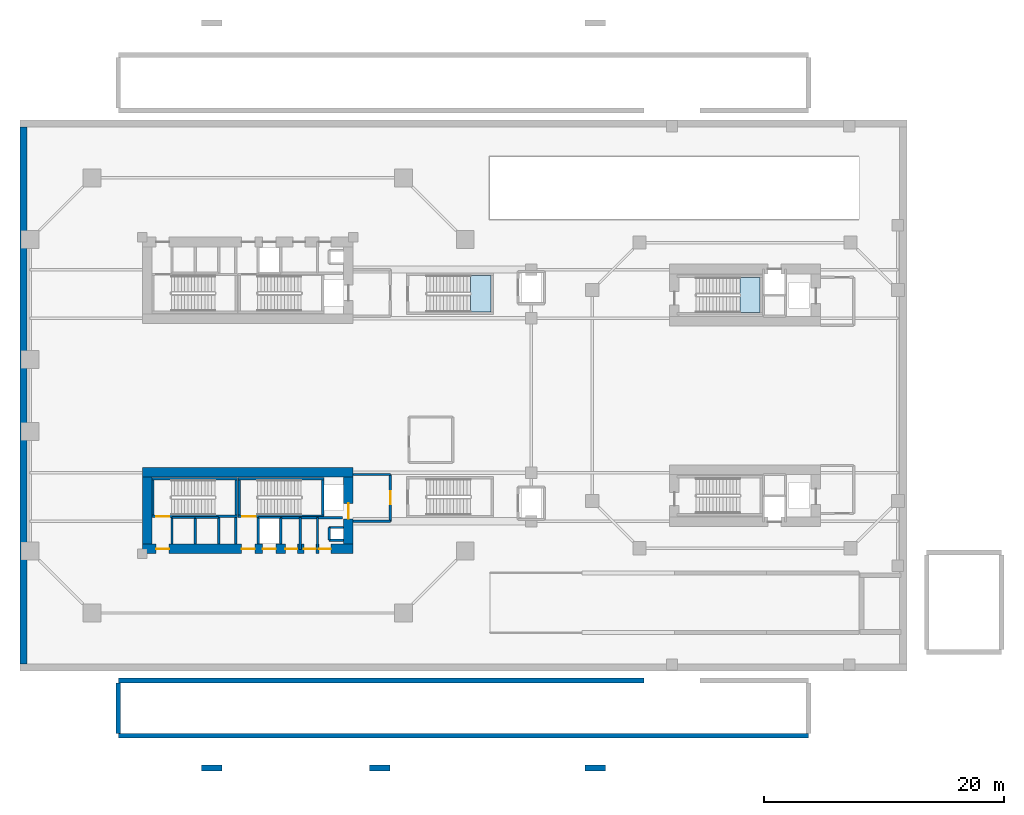
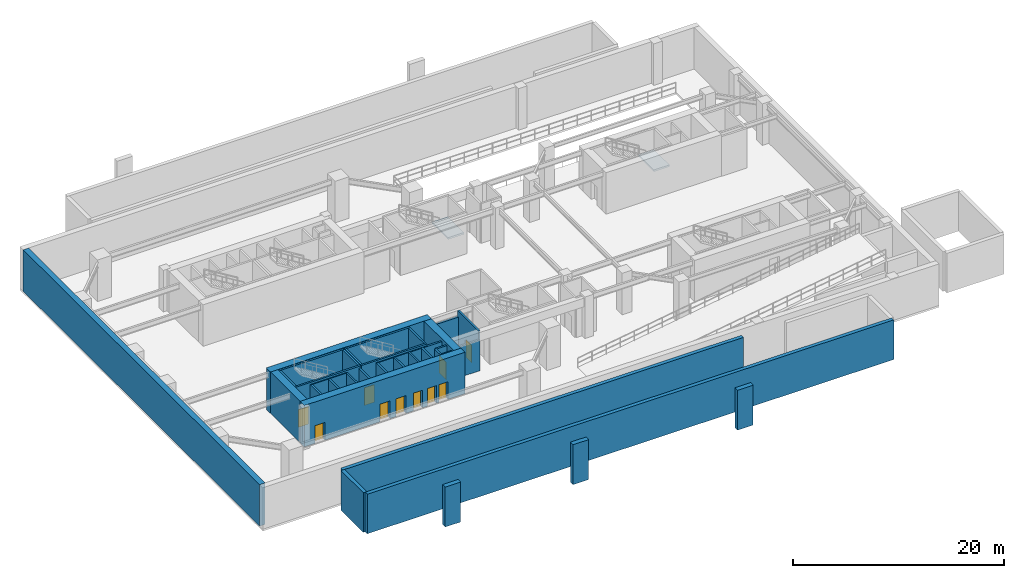
# One storey, part 2 of 10: 37 walls, 10 doors, 2 slabs, 10 openings, 2 elements without a shape of their own.
"""IFC4 building model written with IfcOpenShell, lengths in metres."""

from ifc_helpers import new_model, si_unit, direction, frame, frame_2d, origin, place, context, subcontext, project, spatial, polyline, rectangle, outline, extrude, source, transform, mapped, material, layer, layer_set, type_object, element, fill, aggregate, save


model = new_model("IFC4")

# Units and contexts
model_context = context("Model", 3, precision=1e-05, world=origin(), true_north=direction((0.0, 1.0)))
body_context = subcontext(model_context, "Body", "Model", "MODEL_VIEW")
ifc_project = project(units=[si_unit("LENGTHUNIT", "METRE"), si_unit("AREAUNIT", "SQUARE_METRE"), si_unit("VOLUMEUNIT", "CUBIC_METRE"), si_unit("PLANEANGLEUNIT", "RADIAN"), si_unit("MASSUNIT", "GRAM", prefix="KILO"), si_unit("THERMODYNAMICTEMPERATUREUNIT", "KELVIN"), si_unit("POWERUNIT", "WATT")], contexts=[model_context])

# Site, building, storey
site_placement = place(None, origin())
site = spatial("IfcSite", under=ifc_project, at=site_placement, CompositionType="ELEMENT")
building_placement = place(site_placement, origin())
building = spatial("IfcBuilding", under=site, at=building_placement, Name="Qiaomeng Ring Towers", CompositionType="ELEMENT")
storey_placement = place(building_placement, frame((0.0, 0.0, -4.800048828125)))
storey = spatial("IfcBuildingStorey", under=building, at=storey_placement, Name="B1", CompositionType="ELEMENT", Elevation=-4.800048828125)

# Stair, slab
ifc_material_1 = material(Name="Precast concrete C40", Category="concrete")
stair_type_1 = type_object("IfcStairType", Name="ARC-ST-480", PredefinedType="HALF_TURN_STAIR", material=ifc_material_1)
stair_1_placement = place(storey_placement, origin())
stair_1 = element("IfcStair", 1, at=stair_1_placement, inside=storey, type_object=stair_type_1, Name="B1 Companion North Stair 5", PredefinedType="HALF_TURN_STAIR")
ifc_material_2 = material(Name="Concrete C40", Category="concrete")
ifc_layer_1 = layer(ifc_material_2, 0.199951171875, Name="Concrete C40")
ifc_layer_set_1 = layer_set([ifc_layer_1], Name="Concrete C40")
slab_type = type_object("IfcSlabType", Name="STR-SL-LANDING", PredefinedType="LANDING", material=ifc_layer_set_1)
slab_1_placement = place(storey_placement, frame((0.0, 0.0, 2.199951171875)))
slab_1 = element("IfcSlab", 2, at=slab_1_placement, type_object=slab_type, Name="ST5 landing 1", PredefinedType="LANDING", context=body_context, shape_type="SweptSolid", body=[
    extrude(outline(polyline([(60.06005859375, 29.89990234375), (61.75, 29.89990234375), (61.75, 32.840087890625), (60.06005859375, 32.840087890625), (60.06005859375, 29.89990234375)])), origin(), (0.0, 0.0, 1.0), 0.2001953125),
])
aggregate(stair_1, [slab_1])

stair_type_2 = type_object("IfcStairType", Name="ARC-ST-POD", PredefinedType="HALF_TURN_STAIR", material=ifc_material_1)
stair_2_placement = place(storey_placement, origin())
stair_2 = element("IfcStair", 3, at=stair_2_placement, inside=storey, type_object=stair_type_2, Name="B1 Podium Clinic North Stair 7", PredefinedType="HALF_TURN_STAIR")
slab_2_placement = place(storey_placement, frame((0.0, 0.0, 2.199951171875)))
slab_2 = element("IfcSlab", 4, at=slab_2_placement, type_object=slab_type, Name="ST7 landing 1", PredefinedType="LANDING", context=body_context, shape_type="SweptSolid", body=[
    extrude(outline(polyline([(37.570068359375, 29.9599609375), (39.300048828125, 29.9599609375), (39.300048828125, 33.0), (37.570068359375, 33.0), (37.570068359375, 29.9599609375)])), origin(), (0.0, 0.0, 1.0), 0.2001953125),
])
aggregate(stair_2, [slab_2])

# Walls
ifc_material_3 = material(Name="Autoclaved aerated concrete block", Category="concrete")
ifc_layer_2 = layer(ifc_material_3, 0.199951171875, Name="Autoclaved aerated concrete block")
ifc_layer_set_2 = layer_set([ifc_layer_2], Name="Autoclaved aerated concrete block")
wall_type_1 = type_object("IfcWallType", Name="ARC-WL-PW1", PredefinedType="PARTITIONING", material=ifc_layer_set_2)
wall_1_placement = place(storey_placement, frame((27.800048828125, 16.39990234375, 0.0), z_axis=(0.0, 0.0, 1.0), x_axis=(1.0, 0.0, 0.0)))
element("IfcWall", 5, at=wall_1_placement, inside=storey, type_object=wall_type_1, Name="B1 Interior Wall PW1", PredefinedType="PARTITIONING", context=body_context, shape_type="SweptSolid", body=[
    extrude(rectangle(XDim=3.099853515625, YDim=0.199951171875, at=frame_2d((1.5498046875, 0.0))), origin(), (0.0, 0.0, 1.0), 3.875),
])
wall_2_placement = place(storey_placement, frame((27.800048828125, 12.5, 0.0), z_axis=(0.0, 0.0, 1.0), x_axis=(1.0, 0.0, 0.0)))
element("IfcWall", 6, at=wall_2_placement, inside=storey, type_object=wall_type_1, Name="B1 Interior Wall PW1", PredefinedType="PARTITIONING", context=body_context, shape_type="SweptSolid", body=[
    extrude(rectangle(XDim=3.099853515625, YDim=0.199951171875, at=frame_2d((1.5498046875, 0.0))), origin(), (0.0, 0.0, 1.0), 3.574951171875),
])

# Wall, opening, door
wall_3_placement = place(storey_placement, frame((30.89990234375, 12.5, 0.0), z_axis=(0.0, 0.0, 1.0), x_axis=(0.0, 1.0, 0.0)))
wall_3 = element("IfcWall", 7, at=wall_3_placement, inside=storey, type_object=wall_type_1, Name="B1 Interior Wall PW1", PredefinedType="PARTITIONING", context=body_context, shape_type="SweptSolid", body=[
    extrude(rectangle(XDim=3.89990234375, YDim=0.199951171875, at=frame_2d((1.949951171875, 0.0))), origin(), (0.0, 0.0, 1.0), 4.580078125),
])
opening_1_placement = place(wall_3_placement, frame((1.39990234375, 0.0, 0.0)))
opening_1 = element("IfcOpeningElement", 8, at=opening_1_placement, cuts=wall_3, Name="Opening FD3", PredefinedType="OPENING", context=body_context, shape_type="SweptSolid", body=[
    extrude(rectangle(XDim=1.10009765625, YDim=2.050048828125, at=frame_2d((0.550048828125, 1.02490234375))), frame((0.0, 0.10986328125, 0.0), z_axis=(0.0, -1.0, 0.0), x_axis=(1.0, 0.0, 0.0)), (0.0, 0.0, 1.0), 0.219970703125),
])
ifc_material_4 = material(Name="Galvanised steel", Category="steel")
door_type_1 = type_object("IfcDoorType", Name="ARC-DR-FD3", OperationType="NOTDEFINED", PredefinedType="DOOR", material=ifc_material_4)
shared_shape_1 = source(origin(), body_context, "Body", "SweptSolid", [
    extrude(rectangle(XDim=1.10009765625, YDim=2.050048828125, at=frame_2d((0.550048828125, 1.02490234375))), frame((0.0, 0.02490234375, 0.0), z_axis=(0.0, -1.0, 0.0), x_axis=(1.0, 0.0, 0.0)), (0.0, 0.0, 1.0), 0.050048828125),
])
door_1_placement = place(opening_1_placement, origin())
door_1 = element("IfcDoor", 9, at=door_1_placement, inside=storey, type_object=door_type_1, Name="B1 South FF Lobby Door", OperationType="SINGLE_SWING_RIGHT", OverallHeight=2.050048828125, OverallWidth=1.10009765625, PredefinedType="DOOR", context=body_context, shape_type="MappedRepresentation", body=[
    mapped(shared_shape_1, transform((0.0, 0.0, 0.0), x_axis=(1.0, 0.0, 0.0), y_axis=(0.0, 1.0, 0.0), z_axis=(0.0, 0.0, 1.0), scale=1.0)),
])
fill(opening_1, door_1)

# Walls
for number, where, z_axis, x_axis, name in (
    (10, (12.679931640625, 10.60009765625, 0.0), (0.0, 0.0, 1.0), (0.0, 1.0, 0.0), "B1 Interior Wall PW1"),
    (11, (18.0, 10.60009765625, 0.0), (0.0, 0.0, 1.0), (0.0, 1.0, 0.0), "B1 Interior Wall PW1"),
    (12, (19.8798828125, 10.60009765625, 0.0), (0.0, 0.0, 1.0), (0.0, 1.0, 0.0), "B1 Interior Wall PW1"),
):
    element("IfcWall", number, at=place(storey_placement, frame(where, z_axis=z_axis, x_axis=x_axis)), inside=storey, type_object=wall_type_1, Name=name, PredefinedType="PARTITIONING", context=body_context, shape_type="SweptSolid", body=[
        extrude(rectangle(XDim=2.2099609375, YDim=0.199951171875, at=frame_2d((1.10498046875, 0.0))), origin(), (0.0, 0.0, 1.0), 4.580078125),
    ])
wall_4_placement = place(storey_placement, frame((24.820068359375, 10.14990234375, 0.0), z_axis=(0.0, 0.0, 1.0), x_axis=(0.0, 1.0, 0.0)))
element("IfcWall", 13, at=wall_4_placement, inside=storey, type_object=wall_type_1, Name="B1 Interior Wall PW1", PredefinedType="PARTITIONING", context=body_context, shape_type="SweptSolid", body=[
    extrude(rectangle(XDim=2.650146484375, YDim=0.199951171875, at=frame_2d((1.3251953125, 0.0))), origin(), (0.0, 0.0, 1.0), 4.580078125),
])
wall_5_placement = place(storey_placement, frame((21.75, 10.60009765625, 0.0), z_axis=(0.0, 0.0, 1.0), x_axis=(0.0, 1.0, 0.0)))
element("IfcWall", 14, at=wall_5_placement, inside=storey, type_object=wall_type_1, Name="B1 Interior Wall PW1", PredefinedType="PARTITIONING", context=body_context, shape_type="SweptSolid", body=[
    extrude(rectangle(XDim=2.199951171875, YDim=0.199951171875, at=frame_2d((1.10009765625, 0.0))), origin(), (0.0, 0.0, 1.0), 4.580078125),
])
wall_6_placement = place(storey_placement, frame((23.389892578125, 10.14990234375, 0.0), z_axis=(0.0, 0.0, 1.0), x_axis=(0.0, 1.0, 0.0)))
element("IfcWall", 15, at=wall_6_placement, inside=storey, type_object=wall_type_1, Name="B1 Interior Wall PW1", PredefinedType="PARTITIONING", context=body_context, shape_type="SweptSolid", body=[
    extrude(rectangle(XDim=2.650146484375, YDim=0.199951171875, at=frame_2d((1.3251953125, 0.0))), origin(), (0.0, 0.0, 1.0), 4.580078125),
])
wall_7_placement = place(storey_placement, frame((21.75, 12.800048828125, 0.0), z_axis=(0.0, 0.0, 1.0), x_axis=(1.0, 0.0, 0.0)))
element("IfcWall", 16, at=wall_7_placement, inside=storey, type_object=wall_type_1, Name="B1 Interior Wall PW1", PredefinedType="PARTITIONING", context=body_context, shape_type="SweptSolid", body=[
    extrude(rectangle(XDim=5.169921875, YDim=0.199951171875, at=frame_2d((2.5849609375, 0.0))), origin(), (0.0, 0.0, 1.0), 4.580078125),
])
ifc_layer_3 = layer(ifc_material_2, 0.60009765625, Name="Concrete C40")
ifc_layer_set_3 = layer_set([ifc_layer_3], Name="Concrete C40")
wall_type_2 = type_object("IfcWallType", Name="STR-WL-BW1", PredefinedType="SOLIDWALL", material=ifc_layer_set_3)
wall_8_placement = place(storey_placement, frame((0.300048828125, 0.60009765625, 0.0), z_axis=(0.0, 0.0, 1.0), x_axis=(0.0, 1.0, 0.0)))
element("IfcWall", 17, at=wall_8_placement, inside=storey, type_object=wall_type_2, Name="B1 RET west core shear wall", PredefinedType="SOLIDWALL", context=body_context, shape_type="SweptSolid", body=[
    extrude(rectangle(XDim=44.7998046875, YDim=0.60009765625, at=frame_2d((22.39990234375, 0.0))), origin(), (0.0, 0.0, 1.0), 4.800048828125),
])
ifc_layer_4 = layer(ifc_material_2, 0.39990234375, Name="Concrete C40")
ifc_layer_set_4 = layer_set([ifc_layer_4], Name="Concrete C40")
wall_type_3 = type_object("IfcWallType", Name="STR-WL-BW2", PredefinedType="SOLIDWALL", material=ifc_layer_set_4)
wall_9_placement = place(storey_placement, frame((8.199951171875, -5.39990234375, 0.0), z_axis=(0.0, 0.0, 1.0), x_axis=(1.0, 0.0, 0.0)))
element("IfcWall", 18, at=wall_9_placement, inside=storey, type_object=wall_type_3, Name="B1 Apron Retaining Plinth Wall PLZ-S-S", PredefinedType="SOLIDWALL", context=body_context, shape_type="SweptSolid", body=[
    extrude(rectangle(XDim=57.60009765625, YDim=0.39990234375, at=frame_2d((28.800048828125, 0.0))), origin(), (0.0, 0.0, 1.0), 4.580078125),
])
wall_10_placement = place(storey_placement, frame((8.199951171875, -0.780029296875, 0.0), z_axis=(0.0, 0.0, 1.0), x_axis=(1.0, 0.0, 0.0)))
element("IfcWall", 19, at=wall_10_placement, inside=storey, type_object=wall_type_3, Name="B1 Apron Retaining Plinth Wall PLZ-S-N1", PredefinedType="SOLIDWALL", context=body_context, shape_type="SweptSolid", body=[
    extrude(rectangle(XDim=43.85009765625, YDim=0.39990234375, at=frame_2d((21.925048828125, 0.0))), origin(), (0.0, 0.0, 1.0), 4.580078125),
])
wall_11_placement = place(storey_placement, frame((8.199951171875, -5.199951171875, 0.0), z_axis=(0.0, 0.0, 1.0), x_axis=(0.0, 1.0, 0.0)))
element("IfcWall", 20, at=wall_11_placement, inside=storey, type_object=wall_type_3, Name="B1 Apron Retaining Plinth Wall PLZ-S-W", PredefinedType="SOLIDWALL", context=body_context, shape_type="SweptSolid", body=[
    extrude(rectangle(XDim=4.219970703125, YDim=0.39990234375, at=frame_2d((2.10986328125, 0.0))), origin(), (0.0, 0.0, 1.0), 4.580078125),
])
for number, where, z_axis, x_axis, name in (
    (21, (15.14990234375, -8.072998046875, 0.0), (0.0, 0.0, 1.0), (1.0, 0.0, 0.0), "B1 AR1 Kerb Plinth"),
    (22, (47.14990234375, -8.072998046875, 0.0), (0.0, 0.0, 1.0), (1.0, 0.0, 0.0), "B1 AR2 Kerb Plinth"),
    (23, (29.14990234375, -8.072998046875, 0.0), (0.0, 0.0, 1.0), (1.0, 0.0, 0.0), "B1 AR5 Kerb Plinth"),
):
    element("IfcWall", number, at=place(storey_placement, frame(where, z_axis=z_axis, x_axis=x_axis)), inside=storey, type_object=wall_type_3, Name=name, PredefinedType="SOLIDWALL", context=body_context, shape_type="SweptSolid", body=[
        extrude(rectangle(XDim=1.7001953125, YDim=0.5, at=frame_2d((0.85009765625, 0.0))), origin(), (0.0, 0.0, 1.0), 4.6201171875),
    ])
ifc_layer_5 = layer(ifc_material_2, 0.199951171875, Name="Concrete C40")
ifc_layer_set_5 = layer_set([ifc_layer_5], Name="Concrete C40")
wall_type_4 = type_object("IfcWallType", Name="STR-WL-STSHAFT", PredefinedType="SHEAR", material=ifc_layer_set_5)
wall_12_placement = place(storey_placement, frame((12.679931640625, 12.800048828125, 0.0), z_axis=(0.0, 0.0, 1.0), x_axis=(1.0, 0.0, 0.0)))
element("IfcWall", 24, at=wall_12_placement, inside=storey, type_object=wall_type_4, Name="B1 Lift LP6 Shaft Back Wall", PredefinedType="SHEAR", context=body_context, shape_type="SweptSolid", body=[
    extrude(rectangle(XDim=1.940185546875, YDim=0.179931640625, at=frame_2d((0.97021484375, 0.0))), origin(), (0.0, 0.0, 1.0), 4.580078125),
])
wall_13_placement = place(storey_placement, frame((14.6201171875, 10.60009765625, 0.0), z_axis=(0.0, 0.0, 1.0), x_axis=(0.0, 1.0, 0.0)))
element("IfcWall", 25, at=wall_13_placement, inside=storey, type_object=wall_type_4, Name="B1 Lift LP6-LP4 Shaft Divider Wall", PredefinedType="SHEAR", context=body_context, shape_type="SweptSolid", body=[
    extrude(rectangle(XDim=2.199951171875, YDim=0.179931640625, at=frame_2d((1.10009765625, 0.0))), origin(), (0.0, 0.0, 1.0), 4.580078125),
])
wall_14_placement = place(storey_placement, frame((25.800048828125, 10.919921875, 0.0), z_axis=(0.0, 0.0, 1.0), x_axis=(0.0, 1.0, 0.0)))
element("IfcWall", 26, at=wall_14_placement, inside=storey, type_object=wall_type_4, Name="B1 Riser RSR1 West Shaft Wall S", PredefinedType="SHEAR", context=body_context, shape_type="SweptSolid", body=[
    extrude(rectangle(XDim=1.06005859375, YDim=0.179931640625, at=frame_2d((0.530029296875, 0.0))), origin(), (0.0, 0.0, 1.0), 4.580078125),
])
for number, where, z_axis, x_axis, name in (
    (27, (25.800048828125, 11.97998046875, 0.0), (0.0, 0.0, 1.0), (1.0, 0.0, 0.0), "B1 Riser RSR1 North Shaft Wall S"),
    (28, (25.800048828125, 10.919921875, 0.0), (0.0, 0.0, 1.0), (1.0, 0.0, 0.0), "B1 Riser RSR1 South Shaft Wall S"),
):
    element("IfcWall", number, at=place(storey_placement, frame(where, z_axis=z_axis, x_axis=x_axis)), inside=storey, type_object=wall_type_4, Name=name, PredefinedType="SHEAR", context=body_context, shape_type="SweptSolid", body=[
        extrude(rectangle(XDim=1.199951171875, YDim=0.179931640625, at=frame_2d((0.60009765625, 0.0))), origin(), (0.0, 0.0, 1.0), 4.580078125),
    ])
wall_15_placement = place(storey_placement, frame((14.6201171875, 12.800048828125, 0.0), z_axis=(0.0, 0.0, 1.0), x_axis=(1.0, 0.0, 0.0)))
element("IfcWall", 29, at=wall_15_placement, inside=storey, type_object=wall_type_4, Name="B1 Lift LP4 Shaft Back Wall", PredefinedType="SHEAR", context=body_context, shape_type="SweptSolid", body=[
    extrude(rectangle(XDim=1.9599609375, YDim=0.179931640625, at=frame_2d((0.97998046875, 0.0))), origin(), (0.0, 0.0, 1.0), 4.580078125),
])
wall_16_placement = place(storey_placement, frame((16.580078125, 10.60009765625, 0.0), z_axis=(0.0, 0.0, 1.0), x_axis=(0.0, 1.0, 0.0)))
element("IfcWall", 30, at=wall_16_placement, inside=storey, type_object=wall_type_4, Name="B1 Lift LP4 East Shaft Wall", PredefinedType="SHEAR", context=body_context, shape_type="SweptSolid", body=[
    extrude(rectangle(XDim=2.199951171875, YDim=0.179931640625, at=frame_2d((1.10009765625, 0.0))), origin(), (0.0, 0.0, 1.0), 4.580078125),
])
wall_17_placement = place(storey_placement, frame((19.8798828125, 12.800048828125, 0.0), z_axis=(0.0, 0.0, 1.0), x_axis=(1.0, 0.0, 0.0)))
element("IfcWall", 31, at=wall_17_placement, inside=storey, type_object=wall_type_4, Name="B1 Lift LP2 Shaft Back Wall", PredefinedType="SHEAR", context=body_context, shape_type="SweptSolid", body=[
    extrude(rectangle(XDim=1.8701171875, YDim=0.179931640625, at=frame_2d((0.93505859375, 0.0))), origin(), (0.0, 0.0, 1.0), 4.580078125),
])

# Wall, opening, door
wall_18_placement = place(storey_placement, frame((11.0, 12.909912109375, 0.0), z_axis=(0.0, 0.0, 1.0), x_axis=(1.0, 0.0, 0.0)))
wall_18 = element("IfcWall", 32, at=wall_18_placement, inside=storey, type_object=wall_type_4, Name="B1 Stair ST3 South Shaft Shear Wall", PredefinedType="SHEAR", context=body_context, shape_type="SweptSolid", body=[
    extrude(rectangle(XDim=7.14990234375, YDim=0.199951171875, at=frame_2d((3.574951171875, 0.0))), origin(), (0.0, 0.0, 1.0), 4.800048828125),
])
opening_2_placement = place(wall_18_placement, frame((0.35009765625, 0.0, 0.0)))
opening_2 = element("IfcOpeningElement", 33, at=opening_2_placement, cuts=wall_18, Name="Opening FD3", PredefinedType="OPENING", context=body_context, shape_type="SweptSolid", body=[
    extrude(rectangle(XDim=1.10009765625, YDim=2.050048828125, at=frame_2d((0.550048828125, 1.02490234375))), frame((0.0, 0.10986328125, 0.0), z_axis=(0.0, -1.0, 0.0), x_axis=(1.0, 0.0, 0.0)), (0.0, 0.0, 1.0), 0.219970703125),
])
door_2_placement = place(opening_2_placement, frame((1.10009765625, 0.0, 0.0), z_axis=(0.0, 0.0, 1.0), x_axis=(-1.0, 0.0, 0.0)))
door_2 = element("IfcDoor", 34, at=door_2_placement, inside=storey, type_object=door_type_1, Name="B1 Stair ST3 Exit Door", OperationType="SINGLE_SWING_RIGHT", OverallHeight=2.050048828125, OverallWidth=1.10009765625, PredefinedType="DOOR", context=body_context, shape_type="MappedRepresentation", body=[
    mapped(shared_shape_1, transform((0.0, 0.0, 0.0), x_axis=(1.0, 0.0, 0.0), y_axis=(0.0, 1.0, 0.0), z_axis=(0.0, 0.0, 1.0), scale=1.0)),
])
fill(opening_2, door_2)

# Walls
wall_19_placement = place(storey_placement, frame((11.0, 16.050048828125, 0.0), z_axis=(0.0, 0.0, 1.0), x_axis=(1.0, 0.0, 0.0)))
element("IfcWall", 35, at=wall_19_placement, inside=storey, type_object=wall_type_4, Name="B1 Stair ST3 North Shaft Shear Wall", PredefinedType="SHEAR", context=body_context, shape_type="SweptSolid", body=[
    extrude(rectangle(XDim=7.14990234375, YDim=0.199951171875, at=frame_2d((3.574951171875, 0.0))), origin(), (0.0, 0.0, 1.0), 4.800048828125),
])
for number, where, z_axis, x_axis, name in (
    (36, (11.10009765625, 13.010009765625, 0.0), (0.0, 0.0, 1.0), (0.0, 1.0, 0.0), "B1 Stair ST3 West Shaft Shear Wall"),
    (37, (18.050048828125, 13.010009765625, 0.0), (0.0, 0.0, 1.0), (0.0, 1.0, 0.0), "B1 Stair ST3 East Shaft Shear Wall"),
):
    element("IfcWall", number, at=place(storey_placement, frame(where, z_axis=z_axis, x_axis=x_axis)), inside=storey, type_object=wall_type_4, Name=name, PredefinedType="SHEAR", context=body_context, shape_type="SweptSolid", body=[
        extrude(rectangle(XDim=2.93994140625, YDim=0.199951171875, at=frame_2d((1.469970703125, 0.0))), origin(), (0.0, 0.0, 1.0), 4.800048828125),
    ])

# Wall, opening, door
wall_20_placement = place(storey_placement, frame((18.199951171875, 12.909912109375, 0.0), z_axis=(0.0, 0.0, 1.0), x_axis=(1.0, 0.0, 0.0)))
wall_20 = element("IfcWall", 38, at=wall_20_placement, inside=storey, type_object=wall_type_4, Name="B1 Stair ST4 South Shaft Shear Wall", PredefinedType="SHEAR", context=body_context, shape_type="SweptSolid", body=[
    extrude(rectangle(XDim=7.150146484375, YDim=0.199951171875, at=frame_2d((3.5751953125, 0.0))), origin(), (0.0, 0.0, 1.0), 4.800048828125),
])
opening_3_placement = place(wall_20_placement, frame((0.35009765625, 0.0, 0.0)))
opening_3 = element("IfcOpeningElement", 39, at=opening_3_placement, cuts=wall_20, Name="Opening FD3", PredefinedType="OPENING", context=body_context, shape_type="SweptSolid", body=[
    extrude(rectangle(XDim=1.10009765625, YDim=2.050048828125, at=frame_2d((0.550048828125, 1.02490234375))), frame((0.0, 0.10986328125, 0.0), z_axis=(0.0, -1.0, 0.0), x_axis=(1.0, 0.0, 0.0)), (0.0, 0.0, 1.0), 0.219970703125),
])
door_3_placement = place(opening_3_placement, frame((1.10009765625, 0.0, 0.0), z_axis=(0.0, 0.0, 1.0), x_axis=(-1.0, 0.0, 0.0)))
door_3 = element("IfcDoor", 40, at=door_3_placement, inside=storey, type_object=door_type_1, Name="B1 Stair ST4 Exit Door", OperationType="SINGLE_SWING_RIGHT", OverallHeight=2.050048828125, OverallWidth=1.10009765625, PredefinedType="DOOR", context=body_context, shape_type="MappedRepresentation", body=[
    mapped(shared_shape_1, transform((0.0, 0.0, 0.0), x_axis=(1.0, 0.0, 0.0), y_axis=(0.0, 1.0, 0.0), z_axis=(0.0, 0.0, 1.0), scale=1.0)),
])
fill(opening_3, door_3)

# Walls
wall_21_placement = place(storey_placement, frame((18.199951171875, 16.050048828125, 0.0), z_axis=(0.0, 0.0, 1.0), x_axis=(1.0, 0.0, 0.0)))
element("IfcWall", 41, at=wall_21_placement, inside=storey, type_object=wall_type_4, Name="B1 Stair ST4 North Shaft Shear Wall", PredefinedType="SHEAR", context=body_context, shape_type="SweptSolid", body=[
    extrude(rectangle(XDim=7.150146484375, YDim=0.199951171875, at=frame_2d((3.5751953125, 0.0))), origin(), (0.0, 0.0, 1.0), 4.800048828125),
])
for number, where, z_axis, x_axis, name in (
    (42, (18.300048828125, 13.010009765625, 0.0), (0.0, 0.0, 1.0), (0.0, 1.0, 0.0), "B1 Stair ST4 West Shaft Shear Wall"),
    (43, (25.25, 13.010009765625, 0.0), (0.0, 0.0, 1.0), (0.0, 1.0, 0.0), "B1 Stair ST4 East Shaft Shear Wall"),
):
    element("IfcWall", number, at=place(storey_placement, frame(where, z_axis=z_axis, x_axis=x_axis)), inside=storey, type_object=wall_type_4, Name=name, PredefinedType="SHEAR", context=body_context, shape_type="SweptSolid", body=[
        extrude(rectangle(XDim=2.93994140625, YDim=0.199951171875, at=frame_2d((1.469970703125, 0.0))), origin(), (0.0, 0.0, 1.0), 4.800048828125),
    ])

# Wall, openings, doors
ifc_material_5 = material(Name="Concrete C60", Category="concrete")
ifc_layer_6 = layer(ifc_material_5, 0.800048828125, Name="Concrete C60")
ifc_layer_set_6 = layer_set([ifc_layer_6], Name="Concrete C60")
wall_type_5 = type_object("IfcWallType", Name="STR-WL-SW1", PredefinedType="SHEAR", material=ifc_layer_set_6)
wall_22_placement = place(storey_placement, frame((10.199951171875, 10.199951171875, 0.0), z_axis=(0.0, 0.0, 1.0), x_axis=(1.0, 0.0, 0.0)))
wall_22 = element("IfcWall", 44, at=wall_22_placement, inside=storey, type_object=wall_type_5, Name="B1 T1SC south core shear wall", PredefinedType="SHEAR", context=body_context, shape_type="SweptSolid", body=[
    extrude(rectangle(XDim=17.60009765625, YDim=0.800048828125, at=frame_2d((8.800048828125, 0.0))), origin(), (0.0, 0.0, 1.0), 4.800048828125),
])
opening_4_placement = place(wall_22_placement, frame((1.14990234375, 0.0, 0.0)))
opening_4 = element("IfcOpeningElement", 45, at=opening_4_placement, cuts=wall_22, Name="Opening FD3", PredefinedType="OPENING", context=body_context, shape_type="SweptSolid", body=[
    extrude(rectangle(XDim=1.10009765625, YDim=2.050048828125, at=frame_2d((0.550048828125, 1.02490234375))), frame((0.0, 0.409912109375, 0.0), z_axis=(0.0, -1.0, 0.0), x_axis=(1.0, 0.0, 0.0)), (0.0, 0.0, 1.0), 0.820068359375),
])
opening_5_placement = place(wall_22_placement, frame((8.300048828125, 0.0, 0.0)))
opening_5 = element("IfcOpeningElement", 46, at=opening_5_placement, cuts=wall_22, Name="Opening FD3", PredefinedType="OPENING", context=body_context, shape_type="SweptSolid", body=[
    extrude(rectangle(XDim=1.10009765625, YDim=2.050048828125, at=frame_2d((0.550048828125, 1.02490234375))), frame((0.0, 0.409912109375, 0.0), z_axis=(0.0, -1.0, 0.0), x_axis=(1.0, 0.0, 0.0)), (0.0, 0.0, 1.0), 0.820068359375),
])
opening_6_placement = place(wall_22_placement, frame((10.050048828125, 0.0, 0.0)))
opening_6 = element("IfcOpeningElement", 47, at=opening_6_placement, cuts=wall_22, Name="Opening LD1", PredefinedType="OPENING", context=body_context, shape_type="SweptSolid", body=[
    extrude(rectangle(XDim=1.10009765625, YDim=2.050048828125, at=frame_2d((0.550048828125, 1.02490234375))), frame((0.0, 0.409912109375, 0.0), z_axis=(0.0, -1.0, 0.0), x_axis=(1.0, 0.0, 0.0)), (0.0, 0.0, 1.0), 0.820068359375),
])
opening_7_placement = place(wall_22_placement, frame((14.739990234375, 0.0, 0.0)))
opening_7 = element("IfcOpeningElement", 48, at=opening_7_placement, cuts=wall_22, Name="Opening FD1", PredefinedType="OPENING", context=body_context, shape_type="SweptSolid", body=[
    extrude(rectangle(XDim=1.0, YDim=2.050048828125, at=frame_2d((0.5, 1.02490234375))), frame((0.0, 0.409912109375, 0.0), z_axis=(0.0, -1.0, 0.0), x_axis=(1.0, 0.0, 0.0)), (0.0, 0.0, 1.0), 0.820068359375),
])
opening_8_placement = place(wall_22_placement, frame((11.945068359375, 0.0, 0.0)))
opening_8 = element("IfcOpeningElement", 49, at=opening_8_placement, cuts=wall_22, Name="Opening FD1", PredefinedType="OPENING", context=body_context, shape_type="SweptSolid", body=[
    extrude(rectangle(XDim=1.0, YDim=2.050048828125, at=frame_2d((0.5, 1.02490234375))), frame((0.0, 0.409912109375, 0.0), z_axis=(0.0, -1.0, 0.0), x_axis=(1.0, 0.0, 0.0)), (0.0, 0.0, 1.0), 0.820068359375),
])
opening_9_placement = place(wall_22_placement, frame((13.47998046875, 0.0, 0.0)))
opening_9 = element("IfcOpeningElement", 50, at=opening_9_placement, cuts=wall_22, Name="Opening FD1", PredefinedType="OPENING", context=body_context, shape_type="SweptSolid", body=[
    extrude(rectangle(XDim=1.0, YDim=2.050048828125, at=frame_2d((0.5, 1.02490234375))), frame((0.0, 0.409912109375, 0.0), z_axis=(0.0, -1.0, 0.0), x_axis=(1.0, 0.0, 0.0)), (0.0, 0.0, 1.0), 0.820068359375),
])
door_4_placement = place(opening_4_placement, origin())
door_4 = element("IfcDoor", 51, at=door_4_placement, inside=storey, type_object=door_type_1, Name="B1 Stair ST3 Lobby Door", OperationType="SINGLE_SWING_LEFT", OverallHeight=2.050048828125, OverallWidth=1.10009765625, PredefinedType="DOOR", context=body_context, shape_type="MappedRepresentation", body=[
    mapped(shared_shape_1, transform((0.0, 0.0, 0.0), x_axis=(1.0, 0.0, 0.0), y_axis=(0.0, 1.0, 0.0), z_axis=(0.0, 0.0, 1.0), scale=1.0)),
])
fill(opening_4, door_4)
door_5_placement = place(opening_5_placement, origin())
door_5 = element("IfcDoor", 52, at=door_5_placement, inside=storey, type_object=door_type_1, Name="B1 Stair ST4 Lobby Door", OperationType="SINGLE_SWING_LEFT", OverallHeight=2.050048828125, OverallWidth=1.10009765625, PredefinedType="DOOR", context=body_context, shape_type="MappedRepresentation", body=[
    mapped(shared_shape_1, transform((0.0, 0.0, 0.0), x_axis=(1.0, 0.0, 0.0), y_axis=(0.0, 1.0, 0.0), z_axis=(0.0, 0.0, 1.0), scale=1.0)),
])
fill(opening_5, door_5)
ifc_material_6 = material(Name="Stainless steel 316", Category="steel")
door_type_2 = type_object("IfcDoorType", Name="ARC-DR-LD1", OperationType="NOTDEFINED", PredefinedType="DOOR", material=ifc_material_6)
door_6_placement = place(opening_6_placement, origin())
door_6 = element("IfcDoor", 53, at=door_6_placement, inside=storey, type_object=door_type_2, Name="B1 Low-Zone Lift LP2 Landing Door", OperationType="SLIDING_TO_RIGHT", OverallHeight=2.050048828125, OverallWidth=1.10009765625, PredefinedType="DOOR", context=body_context, shape_type="MappedRepresentation", body=[
    mapped(shared_shape_1, transform((0.0, 0.0, 0.0), x_axis=(1.0, 0.0, 0.0), y_axis=(0.0, 1.0, 0.0), z_axis=(0.0, 0.0, 1.0), scale=1.0)),
])
fill(opening_6, door_6)
door_type_3 = type_object("IfcDoorType", Name="ARC-DR-FD1", OperationType="NOTDEFINED", PredefinedType="DOOR", material=ifc_material_4)
shared_shape_2 = source(origin(), body_context, "Body", "SweptSolid", [
    extrude(rectangle(XDim=1.0, YDim=2.050048828125, at=frame_2d((0.5, 1.02490234375))), frame((0.0, 0.02490234375, 0.0), z_axis=(0.0, -1.0, 0.0), x_axis=(1.0, 0.0, 0.0)), (0.0, 0.0, 1.0), 0.050048828125),
])
door_7_placement = place(opening_7_placement, origin())
door_7 = element("IfcDoor", 54, at=door_7_placement, inside=storey, type_object=door_type_3, Name="B1 South Electrical Riser Door", OperationType="SINGLE_SWING_RIGHT", OverallHeight=2.050048828125, OverallWidth=1.0, PredefinedType="DOOR", context=body_context, shape_type="MappedRepresentation", body=[
    mapped(shared_shape_2, transform((0.0, 0.0, 0.0), x_axis=(1.0, 0.0, 0.0), y_axis=(0.0, 1.0, 0.0), z_axis=(0.0, 0.0, 1.0), scale=1.0)),
])
fill(opening_7, door_7)
door_8_placement = place(opening_8_placement, origin())
door_8 = element("IfcDoor", 55, at=door_8_placement, inside=storey, type_object=door_type_3, Name="B1 South Ventilation Plant Room Door", OperationType="SINGLE_SWING_RIGHT", OverallHeight=2.050048828125, OverallWidth=1.0, PredefinedType="DOOR", context=body_context, shape_type="MappedRepresentation", body=[
    mapped(shared_shape_2, transform((0.0, 0.0, 0.0), x_axis=(1.0, 0.0, 0.0), y_axis=(0.0, 1.0, 0.0), z_axis=(0.0, 0.0, 1.0), scale=1.0)),
])
fill(opening_8, door_8)
door_9_placement = place(opening_9_placement, origin())
door_9 = element("IfcDoor", 56, at=door_9_placement, inside=storey, type_object=door_type_3, Name="B1 South Linen Store Door", OperationType="SINGLE_SWING_LEFT", OverallHeight=2.050048828125, OverallWidth=1.0, PredefinedType="DOOR", context=body_context, shape_type="MappedRepresentation", body=[
    mapped(shared_shape_2, transform((0.0, 0.0, 0.0), x_axis=(1.0, 0.0, 0.0), y_axis=(0.0, 1.0, 0.0), z_axis=(0.0, 0.0, 1.0), scale=1.0)),
])
fill(opening_9, door_9)

# Walls
wall_23_placement = place(storey_placement, frame((10.199951171875, 16.60009765625, 0.0), z_axis=(0.0, 0.0, 1.0), x_axis=(1.0, 0.0, 0.0)))
element("IfcWall", 57, at=wall_23_placement, inside=storey, type_object=wall_type_5, Name="B1 T1SC north core shear wall", PredefinedType="SHEAR", context=body_context, shape_type="SweptSolid", body=[
    extrude(rectangle(XDim=17.60009765625, YDim=0.800048828125, at=frame_2d((8.800048828125, 0.0))), origin(), (0.0, 0.0, 1.0), 4.800048828125),
])
wall_24_placement = place(storey_placement, frame((10.60009765625, 10.60009765625, 0.0), z_axis=(0.0, 0.0, 1.0), x_axis=(0.0, 1.0, 0.0)))
element("IfcWall", 58, at=wall_24_placement, inside=storey, type_object=wall_type_5, Name="B1 T1SC west core shear wall", PredefinedType="SHEAR", context=body_context, shape_type="SweptSolid", body=[
    extrude(rectangle(XDim=5.599853515625, YDim=0.800048828125, at=frame_2d((2.7998046875, 0.0))), origin(), (0.0, 0.0, 1.0), 4.800048828125),
])

# Wall, opening, door
wall_25_placement = place(storey_placement, frame((27.39990234375, 10.60009765625, 0.0), z_axis=(0.0, 0.0, 1.0), x_axis=(0.0, 1.0, 0.0)))
wall_25 = element("IfcWall", 59, at=wall_25_placement, inside=storey, type_object=wall_type_5, Name="B1 T1SC east core shear wall", PredefinedType="SHEAR", context=body_context, shape_type="SweptSolid", body=[
    extrude(rectangle(XDim=5.599853515625, YDim=0.800048828125, at=frame_2d((2.7998046875, 0.0))), origin(), (0.0, 0.0, 1.0), 4.800048828125),
])
opening_10_placement = place(wall_25_placement, frame((2.10009765625, 0.0, 0.0)))
opening_10 = element("IfcOpeningElement", 60, at=opening_10_placement, cuts=wall_25, Name="Opening LD2", PredefinedType="OPENING", context=body_context, shape_type="SweptSolid", body=[
    extrude(rectangle(XDim=1.300048828125, YDim=2.050048828125, at=frame_2d((0.64990234375, 1.02490234375))), frame((0.0, 0.409912109375, 0.0), z_axis=(0.0, -1.0, 0.0), x_axis=(1.0, 0.0, 0.0)), (0.0, 0.0, 1.0), 0.820068359375),
])
door_type_4 = type_object("IfcDoorType", Name="ARC-DR-LD2", OperationType="NOTDEFINED", PredefinedType="DOOR", material=ifc_material_6)
shared_shape_3 = source(origin(), body_context, "Body", "SweptSolid", [
    extrude(rectangle(XDim=1.300048828125, YDim=2.050048828125, at=frame_2d((0.64990234375, 1.02490234375))), frame((0.0, 0.02490234375, 0.0), z_axis=(0.0, -1.0, 0.0), x_axis=(1.0, 0.0, 0.0)), (0.0, 0.0, 1.0), 0.050048828125),
])
door_10_placement = place(opening_10_placement, origin())
door_10 = element("IfcDoor", 61, at=door_10_placement, inside=storey, type_object=door_type_4, Name="B1 Firefighting Lift FL2 Landing Door", OperationType="SLIDING_TO_RIGHT", OverallHeight=2.050048828125, OverallWidth=1.300048828125, PredefinedType="DOOR", context=body_context, shape_type="MappedRepresentation", body=[
    mapped(shared_shape_3, transform((0.0, 0.0, 0.0), x_axis=(1.0, 0.0, 0.0), y_axis=(0.0, 1.0, 0.0), z_axis=(0.0, 0.0, 1.0), scale=1.0)),
])
fill(opening_10, door_10)

save(model, "model.ifc")
